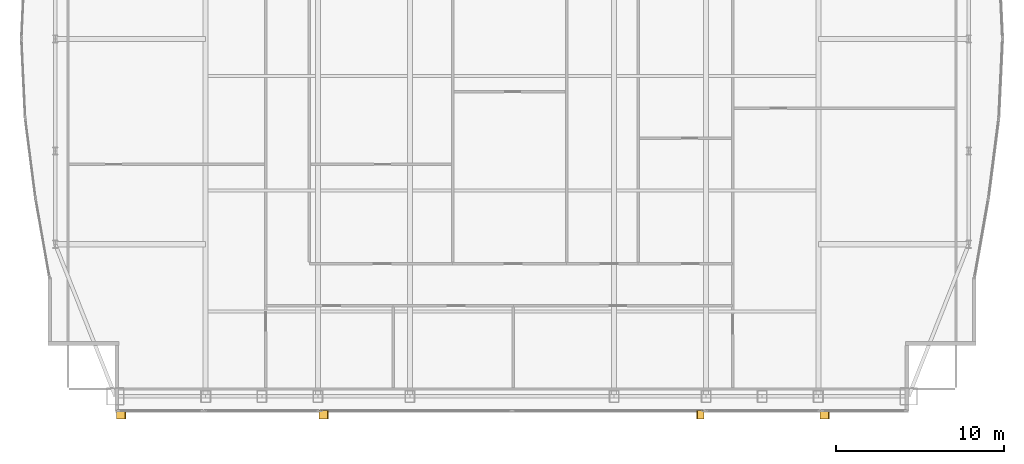
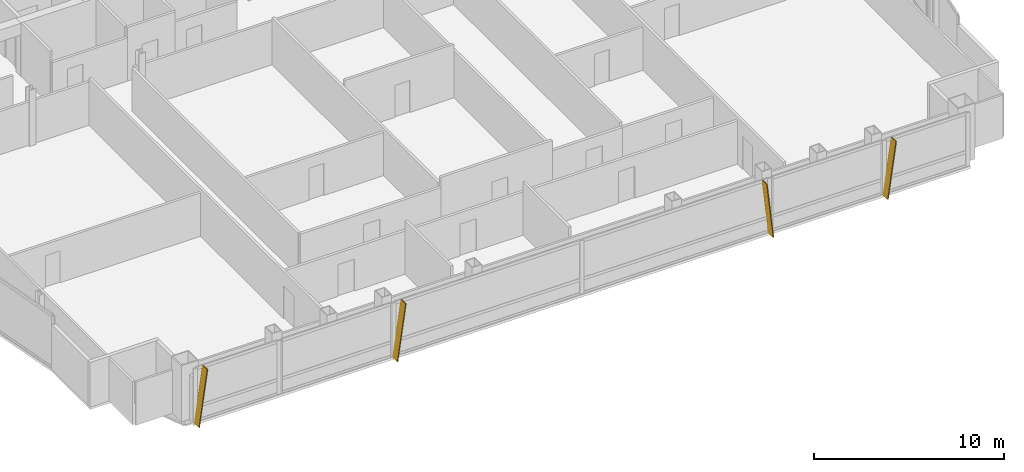
# One storey, part 29 of 30: 4 shading devices.
"""IFC4 building model written with IfcOpenShell, lengths in metres."""

from ifc_helpers import new_model, si_unit, direction, frame, origin, place, context, subcontext, project, spatial, polyline, outline, extrude, material, layer, layer_set, type_object, element, save


model = new_model("IFC4")

# Units and contexts
model_context = context("Model", 3, precision=1e-05, world=origin(), true_north=direction((0.0, 1.0)))
body_context = subcontext(model_context, "Body", "Model", "MODEL_VIEW")
ifc_project = project(units=[si_unit("LENGTHUNIT", "METRE"), si_unit("AREAUNIT", "SQUARE_METRE"), si_unit("VOLUMEUNIT", "CUBIC_METRE"), si_unit("PLANEANGLEUNIT", "RADIAN"), si_unit("MASSUNIT", "GRAM", prefix="KILO")], contexts=[model_context])

# Site, building, storey
site_placement = place(None, origin())
site = spatial("IfcSite", under=ifc_project, at=site_placement, CompositionType="ELEMENT")
building_placement = place(site_placement, origin())
building = spatial("IfcBuilding", under=site, at=building_placement, Name="Khoronbel Lancet Exchange", CompositionType="ELEMENT")
storey_placement = place(building_placement, frame((0.0, 0.0, 277.0)))
storey = spatial("IfcBuildingStorey", under=building, at=storey_placement, Name="L71", CompositionType="ELEMENT", Elevation=277.0)

# Shading devices
ifc_material = material(Name="Bronze-Anodised Aluminium 6063-T6", Category="aluminium")
ifc_layer = layer(ifc_material, 0.054931640625, Name="Bronze-Anodised Aluminium 6063-T6")
ifc_layer_set = layer_set([ifc_layer], Name="Bronze-Anodised Aluminium 6063-T6")
shading_device_type = type_object("IfcShadingDeviceType", Name="SHD-FIN1", PredefinedType="USERDEFINED", material=ifc_layer_set)
for number, where, z_axis, x_axis, name in (
    (1, (12.91259765625, 9.31005859375, -0.080078125), (-0.990092925251, 0.0, 0.140413672296), (0.0, -1.0, 0.0), "Slanted bronze solar fin CW-L71-SWV-0"),
    (2, (24.972412109375, 9.31005859375, -0.080078125), (-0.990083483708, 0.0, 0.140480230955), (0.0, -1.0, 0.0), "Slanted bronze solar fin CW-L71-SCV-0"),
):
    element("IfcShadingDevice", number, at=place(storey_placement, frame(where, z_axis=z_axis, x_axis=x_axis)), inside=storey, type_object=shading_device_type, Name=name, ObjectType="FIN", PredefinedType="USERDEFINED", context=body_context, shape_type="SweptSolid", body=[
        extrude(outline(polyline([(0.0, 0.0), (0.52001953125, 0.0), (0.52001953125, 3.595703125), (0.0, 3.595703125), (0.0, 0.0)])), origin(), (0.0, 0.0, -1.0), 0.054931640625),
    ])
shading_device_1_placement = place(storey_placement, frame((47.87255859375, 9.31005859375, -0.080078125), z_axis=(0.993900347655, 0.0, 0.110281906632), x_axis=(0.0, -1.0, 0.0)))
element("IfcShadingDevice", 3, at=shading_device_1_placement, inside=storey, type_object=shading_device_type, Name="Slanted bronze solar fin CW-L71-SCV-2", ObjectType="FIN", PredefinedType="USERDEFINED", context=body_context, shape_type="SweptSolid", body=[
    extrude(outline(polyline([(0.0, 0.0), (0.52001953125, 0.0), (0.52001953125, -3.581787109375), (0.0, -3.581787109375), (0.0, 0.0)])), origin(), (0.0, 0.0, -1.0), 0.054931640625),
])
shading_device_2_placement = place(storey_placement, frame((54.7724609375, 9.31005859375, -0.080078125), z_axis=(-0.990083483708, 0.0, 0.140480230955), x_axis=(0.0, -1.0, 0.0)))
element("IfcShadingDevice", 4, at=shading_device_2_placement, inside=storey, type_object=shading_device_type, Name="Slanted bronze solar fin CW-L71-SEV-0", ObjectType="FIN", PredefinedType="USERDEFINED", context=body_context, shape_type="SweptSolid", body=[
    extrude(outline(polyline([(0.0, 0.0), (0.52001953125, 0.0), (0.52001953125, 3.595703125), (0.0, 3.595703125), (0.0, 0.0)])), origin(), (0.0, 0.0, -1.0), 0.054931640625),
])

save(model, "model.ifc")
